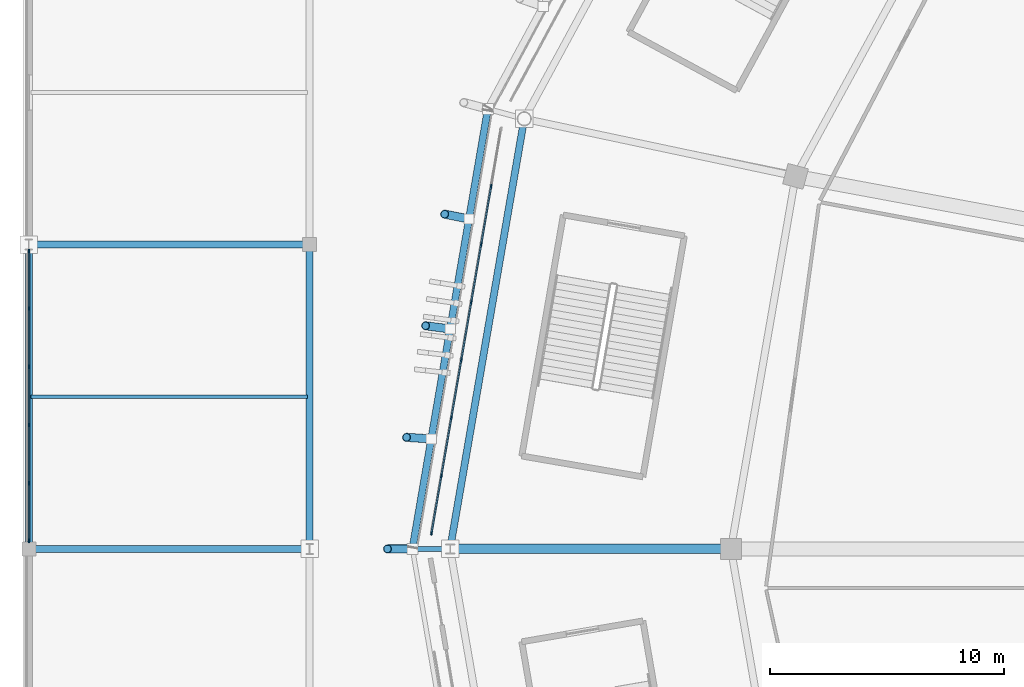
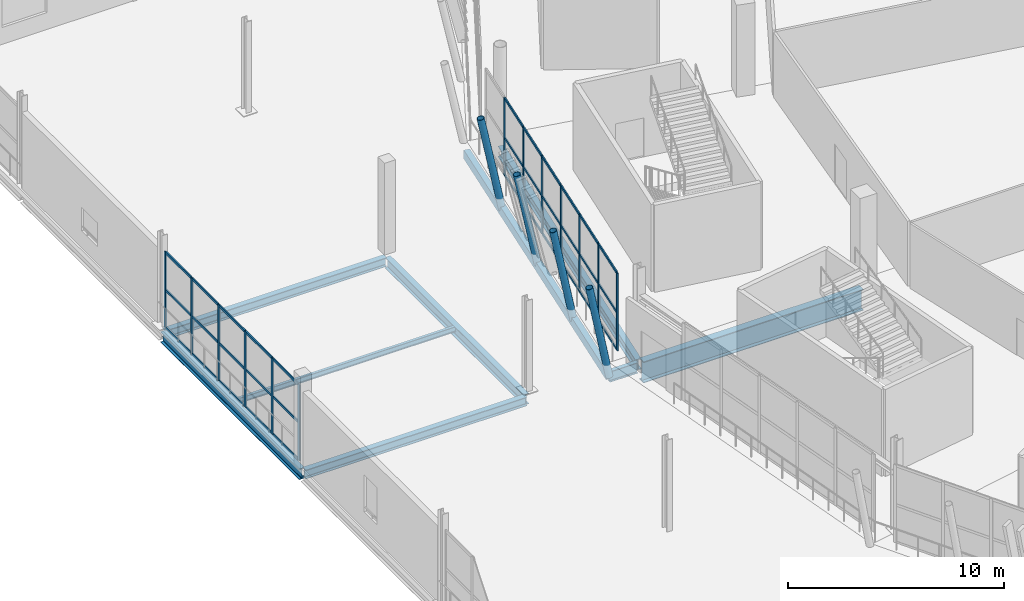
# One storey, part 41 of 178: 50 members, 9 beams, 2 elements without a shape of their own.
"""IFC4 building model written with IfcOpenShell, lengths in metres."""

from ifc_helpers import new_model, si_unit, direction, frame, origin, origin_2d, place, context, subcontext, project, spatial, rectangle, hollow_rectangle, hollow_circle, i_section, extrude, material, material_profile, profile_set, type_object, element, aggregate, save


model = new_model("IFC4")

# Units and contexts
model_context = context("Model", 3, precision=1e-05, world=origin(), true_north=direction((0.0, 1.0)))
body_context = subcontext(model_context, "Body", "Model", "MODEL_VIEW")
ifc_project = project(units=[si_unit("LENGTHUNIT", "METRE"), si_unit("AREAUNIT", "SQUARE_METRE"), si_unit("VOLUMEUNIT", "CUBIC_METRE"), si_unit("PLANEANGLEUNIT", "RADIAN"), si_unit("MASSUNIT", "GRAM", prefix="KILO")], contexts=[model_context])

# Site, building, storey
site_placement = place(None, origin())
site = spatial("IfcSite", under=ifc_project, at=site_placement, CompositionType="ELEMENT")
building_placement = place(site_placement, origin())
building = spatial("IfcBuilding", under=site, at=building_placement, Name="Zlatoyarsky Gate Stadium", CompositionType="ELEMENT")
storey_placement = place(building_placement, frame((0.0, 0.0, 5.39990234375)))
storey = spatial("IfcBuildingStorey", under=building, at=storey_placement, Name="L01", CompositionType="ELEMENT", Elevation=5.39990234375)

# Curtain wall, members
ifc_material_1 = material(Name="Thermally broken anodised aluminium curtain wall", Category="aluminium")
curtain_wall_type_1 = type_object("IfcCurtainWallType", Name="UNITISED HOSPITALITY GLAZING L01", PredefinedType="USERDEFINED", material=ifc_material_1)
curtain_wall_1_placement = place(storey_placement, origin())
curtain_wall_1 = element("IfcCurtainWall", 1, at=curtain_wall_1_placement, inside=storey, type_object=curtain_wall_type_1, Name="Curtain wall CW-L01-11", ObjectType="UNITISED GLAZING", PredefinedType="USERDEFINED")
ifc_material_2 = material(Name="Anodised aluminium 6063-T6", Category="aluminium")
ifc_material_profile_1 = material_profile(ifc_material_2, rectangle(XDim=0.06494140625, YDim=0.159912109375, at=origin_2d()), Name="ALU 65X160")
ifc_profile_set_1 = profile_set([ifc_material_profile_1], Name="Anodised aluminium 6063-T6")
member_type_1 = type_object("IfcMemberType", Name="ALUMINIUM MULLION 65X160", PredefinedType="MULLION", material=ifc_profile_set_1)
member_1_placement = place(storey_placement, frame((19.755615234375, 95.494873046875, 0.0), z_axis=(0.0, 0.0, 1.0), x_axis=(0.985538549547, -0.169451371657, 0.0)))
member_1 = element("IfcMember", 2, at=member_1_placement, type_object=member_type_1, Name="CW-UG1 mullion 2", PredefinedType="MULLION", context=body_context, shape_type="SweptSolid", body=[
    extrude(rectangle(XDim=0.06494140625, YDim=0.159912109375, at=origin_2d()), origin(), (0.0, 0.0, 1.0), 4.400146484375),
])
member_2_placement = place(storey_placement, frame((19.330078125, 93.019287109375, 0.0), z_axis=(0.0, 0.0, 1.0), x_axis=(0.985538549547, -0.169451371657, 0.0)))
member_2 = element("IfcMember", 3, at=member_2_placement, type_object=member_type_1, Name="CW-UG1 mullion 3", PredefinedType="MULLION", context=body_context, shape_type="SweptSolid", body=[
    extrude(rectangle(XDim=0.06494140625, YDim=0.159912109375, at=origin_2d()), origin(), (0.0, 0.0, 1.0), 4.400146484375),
])
member_3_placement = place(storey_placement, frame((18.904296875, 90.54345703125, 0.0), z_axis=(0.0, 0.0, 1.0), x_axis=(0.985538549547, -0.169451371657, 0.0)))
member_3 = element("IfcMember", 4, at=member_3_placement, type_object=member_type_1, Name="CW-UG1 mullion 4", PredefinedType="MULLION", context=body_context, shape_type="SweptSolid", body=[
    extrude(rectangle(XDim=0.06494140625, YDim=0.159912109375, at=origin_2d()), origin(), (0.0, 0.0, 1.0), 4.400146484375),
])
member_4_placement = place(storey_placement, frame((18.478515625, 88.06787109375, 0.0), z_axis=(0.0, 0.0, 1.0), x_axis=(0.985538549547, -0.169451371657, 0.0)))
member_4 = element("IfcMember", 5, at=member_4_placement, type_object=member_type_1, Name="CW-UG1 mullion 5", PredefinedType="MULLION", context=body_context, shape_type="SweptSolid", body=[
    extrude(rectangle(XDim=0.06494140625, YDim=0.159912109375, at=origin_2d()), origin(), (0.0, 0.0, 1.0), 4.400146484375),
])
member_5_placement = place(storey_placement, frame((18.052978515625, 85.592041015625, 0.0), z_axis=(0.0, 0.0, 1.0), x_axis=(0.985538549547, -0.169451371657, 0.0)))
member_5 = element("IfcMember", 6, at=member_5_placement, type_object=member_type_1, Name="CW-UG1 mullion 6", PredefinedType="MULLION", context=body_context, shape_type="SweptSolid", body=[
    extrude(rectangle(XDim=0.06494140625, YDim=0.159912109375, at=origin_2d()), origin(), (0.0, 0.0, 1.0), 4.400146484375),
])
member_6_placement = place(storey_placement, frame((17.627197265625, 83.1162109375, 0.0), z_axis=(0.0, 0.0, 1.0), x_axis=(0.985538549547, -0.169451371657, 0.0)))
member_6 = element("IfcMember", 7, at=member_6_placement, type_object=member_type_1, Name="CW-UG1 mullion 7", PredefinedType="MULLION", context=body_context, shape_type="SweptSolid", body=[
    extrude(rectangle(XDim=0.06494140625, YDim=0.159912109375, at=origin_2d()), origin(), (0.0, 0.0, 1.0), 4.400146484375),
])
member_7_placement = place(storey_placement, frame((17.20703125, 80.672607421875, 0.0), z_axis=(0.0, 0.0, 1.0), x_axis=(0.985538549547, -0.169451371657, 0.0)))
member_7 = element("IfcMember", 8, at=member_7_placement, type_object=member_type_1, Name="CW-UG1 mullion 8", PredefinedType="MULLION", context=body_context, shape_type="SweptSolid", body=[
    extrude(rectangle(XDim=0.06494140625, YDim=0.159912109375, at=origin_2d()), origin(), (0.0, 0.0, 1.0), 4.400146484375),
])

curtain_wall_type_2 = type_object("IfcCurtainWallType", Name="WINTER GARDEN CONSERVATORY GLAZING", PredefinedType="USERDEFINED", material=ifc_material_1)
curtain_wall_2_placement = place(storey_placement, origin())
curtain_wall_2 = element("IfcCurtainWall", 9, at=curtain_wall_2_placement, inside=storey, type_object=curtain_wall_type_2, Name="Curtain wall CW-V4_WEST-L01-166", ObjectType="UNITISED GLAZING", PredefinedType="USERDEFINED")
member_8_placement = place(storey_placement, frame((0.0, 80.344482421875, 0.0), z_axis=(0.0, 0.0, 1.0), x_axis=(-1.0, 0.0, 0.0)))
member_8 = element("IfcMember", 10, at=member_8_placement, type_object=member_type_1, Name="CW-WG1 mullion 1", PredefinedType="MULLION", context=body_context, shape_type="SweptSolid", body=[
    extrude(rectangle(XDim=0.06494140625, YDim=0.159912109375, at=origin_2d()), origin(), (0.0, 0.0, 1.0), 4.300048828125),
])
member_9_placement = place(storey_placement, frame((0.0, 82.80224609375, 0.0), z_axis=(0.0, 0.0, 1.0), x_axis=(-1.0, 0.0, 0.0)))
member_9 = element("IfcMember", 11, at=member_9_placement, type_object=member_type_1, Name="CW-WG1 mullion 2", PredefinedType="MULLION", context=body_context, shape_type="SweptSolid", body=[
    extrude(rectangle(XDim=0.06494140625, YDim=0.159912109375, at=origin_2d()), origin(), (0.0, 0.0, 1.0), 4.300048828125),
])
member_10_placement = place(storey_placement, frame((0.0, 85.29248046875, 0.0), z_axis=(0.0, 0.0, 1.0), x_axis=(-1.0, 0.0, 0.0)))
member_10 = element("IfcMember", 12, at=member_10_placement, type_object=member_type_1, Name="CW-WG1 mullion 3", PredefinedType="MULLION", context=body_context, shape_type="SweptSolid", body=[
    extrude(rectangle(XDim=0.06494140625, YDim=0.159912109375, at=origin_2d()), origin(), (0.0, 0.0, 1.0), 4.300048828125),
])
member_11_placement = place(storey_placement, frame((0.0, 87.78271484375, 0.0), z_axis=(0.0, 0.0, 1.0), x_axis=(-1.0, 0.0, 0.0)))
member_11 = element("IfcMember", 13, at=member_11_placement, type_object=member_type_1, Name="CW-WG1 mullion 4", PredefinedType="MULLION", context=body_context, shape_type="SweptSolid", body=[
    extrude(rectangle(XDim=0.06494140625, YDim=0.159912109375, at=origin_2d()), origin(), (0.0, 0.0, 1.0), 4.300048828125),
])
member_12_placement = place(storey_placement, frame((0.0, 90.272705078125, 0.0), z_axis=(0.0, 0.0, 1.0), x_axis=(-1.0, 0.0, 0.0)))
member_12 = element("IfcMember", 14, at=member_12_placement, type_object=member_type_1, Name="CW-WG1 mullion 5", PredefinedType="MULLION", context=body_context, shape_type="SweptSolid", body=[
    extrude(rectangle(XDim=0.06494140625, YDim=0.159912109375, at=origin_2d()), origin(), (0.0, 0.0, 1.0), 4.300048828125),
])
member_13_placement = place(storey_placement, frame((0.0, 92.73046875, 0.0), z_axis=(0.0, 0.0, 1.0), x_axis=(-1.0, 0.0, 0.0)))
member_13 = element("IfcMember", 15, at=member_13_placement, type_object=member_type_1, Name="CW-WG1 mullion 6", PredefinedType="MULLION", context=body_context, shape_type="SweptSolid", body=[
    extrude(rectangle(XDim=0.06494140625, YDim=0.159912109375, at=origin_2d()), origin(), (0.0, 0.0, 1.0), 4.300048828125),
])

# Member
ifc_material_profile_2 = material_profile(ifc_material_2, rectangle(XDim=0.06494140625, YDim=0.139892578125, at=origin_2d()), Name="ALU 65X140")
ifc_profile_set_2 = profile_set([ifc_material_profile_2], Name="Anodised aluminium 6063-T6")
member_type_2 = type_object("IfcMemberType", Name="ALUMINIUM TRANSOM 65X140", PredefinedType="USERDEFINED", material=ifc_profile_set_2)
member_14_placement = place(storey_placement, frame((19.75, 95.462890625, 0.03271484375), z_axis=(-0.169412414393, -0.985545246982, 0.0), x_axis=(0.985545246982, -0.169412414393, 0.0)))
member_14 = element("IfcMember", 16, at=member_14_placement, type_object=member_type_2, Name="CW-UG1 transom 2.1", ObjectType="TRANSOM", PredefinedType="USERDEFINED", context=body_context, shape_type="SweptSolid", body=[
    extrude(rectangle(XDim=0.06494140625, YDim=0.139892578125, at=origin_2d()), origin(), (0.0, 0.0, 1.0), 2.447021484375),
])

member_15_placement = place(storey_placement, frame((19.75, 95.462890625, 2.150146484375), z_axis=(-0.169412414393, -0.985545246982, 0.0), x_axis=(0.985545246982, -0.169412414393, 0.0)))
member_15 = element("IfcMember", 17, at=member_15_placement, type_object=member_type_2, Name="CW-UG1 transom 2.2", ObjectType="TRANSOM", PredefinedType="USERDEFINED", context=body_context, shape_type="SweptSolid", body=[
    extrude(rectangle(XDim=0.06494140625, YDim=0.139892578125, at=origin_2d()), origin(), (0.0, 0.0, 1.0), 2.447021484375),
])

member_16_placement = place(storey_placement, frame((19.75, 95.462890625, 4.36767578125), z_axis=(-0.169412414393, -0.985545246982, 0.0), x_axis=(0.985545246982, -0.169412414393, 0.0)))
member_16 = element("IfcMember", 18, at=member_16_placement, type_object=member_type_2, Name="CW-UG1 transom 2.3", ObjectType="TRANSOM", PredefinedType="USERDEFINED", context=body_context, shape_type="SweptSolid", body=[
    extrude(rectangle(XDim=0.06494140625, YDim=0.139892578125, at=origin_2d()), origin(), (0.0, 0.0, 1.0), 2.447021484375),
])

member_17_placement = place(storey_placement, frame((19.324462890625, 92.9873046875, 0.03271484375), z_axis=(-0.169395757758, -0.985548110065, 0.0), x_axis=(0.985548110065, -0.169395757758, 0.0)))
member_17 = element("IfcMember", 19, at=member_17_placement, type_object=member_type_2, Name="CW-UG1 transom 3.1", ObjectType="TRANSOM", PredefinedType="USERDEFINED", context=body_context, shape_type="SweptSolid", body=[
    extrude(rectangle(XDim=0.06494140625, YDim=0.139892578125, at=origin_2d()), origin(), (0.0, 0.0, 1.0), 2.447265625),
])

member_18_placement = place(storey_placement, frame((19.324462890625, 92.9873046875, 2.150146484375), z_axis=(-0.169395757758, -0.985548110065, 0.0), x_axis=(0.985548110065, -0.169395757758, 0.0)))
member_18 = element("IfcMember", 20, at=member_18_placement, type_object=member_type_2, Name="CW-UG1 transom 3.2", ObjectType="TRANSOM", PredefinedType="USERDEFINED", context=body_context, shape_type="SweptSolid", body=[
    extrude(rectangle(XDim=0.06494140625, YDim=0.139892578125, at=origin_2d()), origin(), (0.0, 0.0, 1.0), 2.447265625),
])

member_19_placement = place(storey_placement, frame((19.324462890625, 92.9873046875, 4.36767578125), z_axis=(-0.169395757758, -0.985548110065, 0.0), x_axis=(0.985548110065, -0.169395757758, 0.0)))
member_19 = element("IfcMember", 21, at=member_19_placement, type_object=member_type_2, Name="CW-UG1 transom 3.3", ObjectType="TRANSOM", PredefinedType="USERDEFINED", context=body_context, shape_type="SweptSolid", body=[
    extrude(rectangle(XDim=0.06494140625, YDim=0.139892578125, at=origin_2d()), origin(), (0.0, 0.0, 1.0), 2.447265625),
])

member_20_placement = place(storey_placement, frame((18.898681640625, 90.511474609375, 0.03271484375), z_axis=(-0.169412414393, -0.985545246982, 0.0), x_axis=(0.985545246982, -0.169412414393, 0.0)))
member_20 = element("IfcMember", 22, at=member_20_placement, type_object=member_type_2, Name="CW-UG1 transom 4.1", ObjectType="TRANSOM", PredefinedType="USERDEFINED", context=body_context, shape_type="SweptSolid", body=[
    extrude(rectangle(XDim=0.06494140625, YDim=0.139892578125, at=origin_2d()), origin(), (0.0, 0.0, 1.0), 2.447021484375),
])

member_21_placement = place(storey_placement, frame((18.898681640625, 90.511474609375, 2.150146484375), z_axis=(-0.169412414393, -0.985545246982, 0.0), x_axis=(0.985545246982, -0.169412414393, 0.0)))
member_21 = element("IfcMember", 23, at=member_21_placement, type_object=member_type_2, Name="CW-UG1 transom 4.2", ObjectType="TRANSOM", PredefinedType="USERDEFINED", context=body_context, shape_type="SweptSolid", body=[
    extrude(rectangle(XDim=0.06494140625, YDim=0.139892578125, at=origin_2d()), origin(), (0.0, 0.0, 1.0), 2.447021484375),
])

member_22_placement = place(storey_placement, frame((18.898681640625, 90.511474609375, 4.36767578125), z_axis=(-0.169412414393, -0.985545246982, 0.0), x_axis=(0.985545246982, -0.169412414393, 0.0)))
member_22 = element("IfcMember", 24, at=member_22_placement, type_object=member_type_2, Name="CW-UG1 transom 4.3", ObjectType="TRANSOM", PredefinedType="USERDEFINED", context=body_context, shape_type="SweptSolid", body=[
    extrude(rectangle(XDim=0.06494140625, YDim=0.139892578125, at=origin_2d()), origin(), (0.0, 0.0, 1.0), 2.447021484375),
])

member_23_placement = place(storey_placement, frame((18.47314453125, 88.03564453125, 0.03271484375), z_axis=(-0.16950932017, -0.985528584251, 0.0), x_axis=(0.985528584251, -0.16950932017, 0.0)))
member_23 = element("IfcMember", 25, at=member_23_placement, type_object=member_type_2, Name="CW-UG1 transom 5.1", ObjectType="TRANSOM", PredefinedType="USERDEFINED", context=body_context, shape_type="SweptSolid", body=[
    extrude(rectangle(XDim=0.06494140625, YDim=0.139892578125, at=origin_2d()), origin(), (0.0, 0.0, 1.0), 2.447021484375),
])

member_24_placement = place(storey_placement, frame((18.47314453125, 88.03564453125, 2.150146484375), z_axis=(-0.16950932017, -0.985528584251, 0.0), x_axis=(0.985528584251, -0.16950932017, 0.0)))
member_24 = element("IfcMember", 26, at=member_24_placement, type_object=member_type_2, Name="CW-UG1 transom 5.2", ObjectType="TRANSOM", PredefinedType="USERDEFINED", context=body_context, shape_type="SweptSolid", body=[
    extrude(rectangle(XDim=0.06494140625, YDim=0.139892578125, at=origin_2d()), origin(), (0.0, 0.0, 1.0), 2.447021484375),
])

member_25_placement = place(storey_placement, frame((18.47314453125, 88.03564453125, 4.36767578125), z_axis=(-0.16950932017, -0.985528584251, 0.0), x_axis=(0.985528584251, -0.16950932017, 0.0)))
member_25 = element("IfcMember", 27, at=member_25_placement, type_object=member_type_2, Name="CW-UG1 transom 5.3", ObjectType="TRANSOM", PredefinedType="USERDEFINED", context=body_context, shape_type="SweptSolid", body=[
    extrude(rectangle(XDim=0.06494140625, YDim=0.139892578125, at=origin_2d()), origin(), (0.0, 0.0, 1.0), 2.447021484375),
])

member_26_placement = place(storey_placement, frame((18.04736328125, 85.56005859375, 0.03271484375), z_axis=(-0.169412414393, -0.985545246982, 0.0), x_axis=(0.985545246982, -0.169412414393, 0.0)))
member_26 = element("IfcMember", 28, at=member_26_placement, type_object=member_type_2, Name="CW-UG1 transom 6.1", ObjectType="TRANSOM", PredefinedType="USERDEFINED", context=body_context, shape_type="SweptSolid", body=[
    extrude(rectangle(XDim=0.06494140625, YDim=0.139892578125, at=origin_2d()), origin(), (0.0, 0.0, 1.0), 2.447021484375),
])

member_27_placement = place(storey_placement, frame((18.04736328125, 85.56005859375, 2.150146484375), z_axis=(-0.169412414393, -0.985545246982, 0.0), x_axis=(0.985545246982, -0.169412414393, 0.0)))
member_27 = element("IfcMember", 29, at=member_27_placement, type_object=member_type_2, Name="CW-UG1 transom 6.2", ObjectType="TRANSOM", PredefinedType="USERDEFINED", context=body_context, shape_type="SweptSolid", body=[
    extrude(rectangle(XDim=0.06494140625, YDim=0.139892578125, at=origin_2d()), origin(), (0.0, 0.0, 1.0), 2.447021484375),
])

member_28_placement = place(storey_placement, frame((18.04736328125, 85.56005859375, 4.36767578125), z_axis=(-0.169412414393, -0.985545246982, 0.0), x_axis=(0.985545246982, -0.169412414393, 0.0)))
member_28 = element("IfcMember", 30, at=member_28_placement, type_object=member_type_2, Name="CW-UG1 transom 6.3", ObjectType="TRANSOM", PredefinedType="USERDEFINED", context=body_context, shape_type="SweptSolid", body=[
    extrude(rectangle(XDim=0.06494140625, YDim=0.139892578125, at=origin_2d()), origin(), (0.0, 0.0, 1.0), 2.447021484375),
])

member_29_placement = place(storey_placement, frame((17.621826171875, 83.084228515625, 0.03271484375), z_axis=(-0.16946333851, -0.985536491918, 0.0), x_axis=(0.985536491918, -0.16946333851, 0.0)))
member_29 = element("IfcMember", 31, at=member_29_placement, type_object=member_type_2, Name="CW-UG1 transom 7.1", ObjectType="TRANSOM", PredefinedType="USERDEFINED", context=body_context, shape_type="SweptSolid", body=[
    extrude(rectangle(XDim=0.06494140625, YDim=0.139892578125, at=origin_2d()), origin(), (0.0, 0.0, 1.0), 2.41455078125),
])

member_30_placement = place(storey_placement, frame((17.621826171875, 83.084228515625, 2.150146484375), z_axis=(-0.16946333851, -0.985536491918, 0.0), x_axis=(0.985536491918, -0.16946333851, 0.0)))
member_30 = element("IfcMember", 32, at=member_30_placement, type_object=member_type_2, Name="CW-UG1 transom 7.2", ObjectType="TRANSOM", PredefinedType="USERDEFINED", context=body_context, shape_type="SweptSolid", body=[
    extrude(rectangle(XDim=0.06494140625, YDim=0.139892578125, at=origin_2d()), origin(), (0.0, 0.0, 1.0), 2.41455078125),
])

member_31_placement = place(storey_placement, frame((17.621826171875, 83.084228515625, 4.36767578125), z_axis=(-0.16946333851, -0.985536491918, 0.0), x_axis=(0.985536491918, -0.16946333851, 0.0)))
member_31 = element("IfcMember", 33, at=member_31_placement, type_object=member_type_2, Name="CW-UG1 transom 7.3", ObjectType="TRANSOM", PredefinedType="USERDEFINED", context=body_context, shape_type="SweptSolid", body=[
    extrude(rectangle(XDim=0.06494140625, YDim=0.139892578125, at=origin_2d()), origin(), (0.0, 0.0, 1.0), 2.41455078125),
])

aggregate(curtain_wall_1, [member_1, member_2, member_3, member_4, member_5, member_6, member_7, member_14, member_15, member_16, member_17, member_18, member_19, member_20, member_21, member_22, member_23, member_24, member_25, member_26, member_27, member_28, member_29, member_30, member_31])

member_32_placement = place(storey_placement, frame((0.0, 80.376953125, 0.03271484375), z_axis=(0.0, 1.0, 0.0), x_axis=(-1.0, 0.0, 0.0)))
member_32 = element("IfcMember", 34, at=member_32_placement, type_object=member_type_2, Name="CW-WG1 transom 1.1", ObjectType="TRANSOM", PredefinedType="USERDEFINED", context=body_context, shape_type="SweptSolid", body=[
    extrude(rectangle(XDim=0.06494140625, YDim=0.139892578125, at=origin_2d()), origin(), (0.0, 0.0, 1.0), 2.392822265625),
])

member_33_placement = place(storey_placement, frame((0.0, 80.376953125, 2.150146484375), z_axis=(0.0, 1.0, 0.0), x_axis=(-1.0, 0.0, 0.0)))
member_33 = element("IfcMember", 35, at=member_33_placement, type_object=member_type_2, Name="CW-WG1 transom 1.2", ObjectType="TRANSOM", PredefinedType="USERDEFINED", context=body_context, shape_type="SweptSolid", body=[
    extrude(rectangle(XDim=0.06494140625, YDim=0.139892578125, at=origin_2d()), origin(), (0.0, 0.0, 1.0), 2.392822265625),
])

member_34_placement = place(storey_placement, frame((0.0, 80.376953125, 4.267578125), z_axis=(0.0, 1.0, 0.0), x_axis=(-1.0, 0.0, 0.0)))
member_34 = element("IfcMember", 36, at=member_34_placement, type_object=member_type_2, Name="CW-WG1 transom 1.3", ObjectType="TRANSOM", PredefinedType="USERDEFINED", context=body_context, shape_type="SweptSolid", body=[
    extrude(rectangle(XDim=0.06494140625, YDim=0.139892578125, at=origin_2d()), origin(), (0.0, 0.0, 1.0), 2.392822265625),
])

member_35_placement = place(storey_placement, frame((0.0, 82.834716796875, 0.03271484375), z_axis=(0.0, 1.0, 0.0), x_axis=(-1.0, 0.0, 0.0)))
member_35 = element("IfcMember", 37, at=member_35_placement, type_object=member_type_2, Name="CW-WG1 transom 2.1", ObjectType="TRANSOM", PredefinedType="USERDEFINED", context=body_context, shape_type="SweptSolid", body=[
    extrude(rectangle(XDim=0.06494140625, YDim=0.139892578125, at=origin_2d()), origin(), (0.0, 0.0, 1.0), 2.42529296875),
])

member_36_placement = place(storey_placement, frame((0.0, 82.834716796875, 2.150146484375), z_axis=(0.0, 1.0, 0.0), x_axis=(-1.0, 0.0, 0.0)))
member_36 = element("IfcMember", 38, at=member_36_placement, type_object=member_type_2, Name="CW-WG1 transom 2.2", ObjectType="TRANSOM", PredefinedType="USERDEFINED", context=body_context, shape_type="SweptSolid", body=[
    extrude(rectangle(XDim=0.06494140625, YDim=0.139892578125, at=origin_2d()), origin(), (0.0, 0.0, 1.0), 2.42529296875),
])

member_37_placement = place(storey_placement, frame((0.0, 82.834716796875, 4.267578125), z_axis=(0.0, 1.0, 0.0), x_axis=(-1.0, 0.0, 0.0)))
member_37 = element("IfcMember", 39, at=member_37_placement, type_object=member_type_2, Name="CW-WG1 transom 2.3", ObjectType="TRANSOM", PredefinedType="USERDEFINED", context=body_context, shape_type="SweptSolid", body=[
    extrude(rectangle(XDim=0.06494140625, YDim=0.139892578125, at=origin_2d()), origin(), (0.0, 0.0, 1.0), 2.42529296875),
])

member_38_placement = place(storey_placement, frame((0.0, 85.324951171875, 0.03271484375), z_axis=(0.0, 1.0, 0.0), x_axis=(-1.0, 0.0, 0.0)))
member_38 = element("IfcMember", 40, at=member_38_placement, type_object=member_type_2, Name="CW-WG1 transom 3.1", ObjectType="TRANSOM", PredefinedType="USERDEFINED", context=body_context, shape_type="SweptSolid", body=[
    extrude(rectangle(XDim=0.06494140625, YDim=0.139892578125, at=origin_2d()), origin(), (0.0, 0.0, 1.0), 2.425048828125),
])

member_39_placement = place(storey_placement, frame((0.0, 85.324951171875, 2.150146484375), z_axis=(0.0, 1.0, 0.0), x_axis=(-1.0, 0.0, 0.0)))
member_39 = element("IfcMember", 41, at=member_39_placement, type_object=member_type_2, Name="CW-WG1 transom 3.2", ObjectType="TRANSOM", PredefinedType="USERDEFINED", context=body_context, shape_type="SweptSolid", body=[
    extrude(rectangle(XDim=0.06494140625, YDim=0.139892578125, at=origin_2d()), origin(), (0.0, 0.0, 1.0), 2.425048828125),
])

member_40_placement = place(storey_placement, frame((0.0, 85.324951171875, 4.267578125), z_axis=(0.0, 1.0, 0.0), x_axis=(-1.0, 0.0, 0.0)))
member_40 = element("IfcMember", 42, at=member_40_placement, type_object=member_type_2, Name="CW-WG1 transom 3.3", ObjectType="TRANSOM", PredefinedType="USERDEFINED", context=body_context, shape_type="SweptSolid", body=[
    extrude(rectangle(XDim=0.06494140625, YDim=0.139892578125, at=origin_2d()), origin(), (0.0, 0.0, 1.0), 2.425048828125),
])

member_41_placement = place(storey_placement, frame((0.0, 87.815185546875, 0.03271484375), z_axis=(0.0, 1.0, 0.0), x_axis=(-1.0, 0.0, 0.0)))
member_41 = element("IfcMember", 43, at=member_41_placement, type_object=member_type_2, Name="CW-WG1 transom 4.1", ObjectType="TRANSOM", PredefinedType="USERDEFINED", context=body_context, shape_type="SweptSolid", body=[
    extrude(rectangle(XDim=0.06494140625, YDim=0.139892578125, at=origin_2d()), origin(), (0.0, 0.0, 1.0), 2.425048828125),
])

member_42_placement = place(storey_placement, frame((0.0, 87.815185546875, 2.150146484375), z_axis=(0.0, 1.0, 0.0), x_axis=(-1.0, 0.0, 0.0)))
member_42 = element("IfcMember", 44, at=member_42_placement, type_object=member_type_2, Name="CW-WG1 transom 4.2", ObjectType="TRANSOM", PredefinedType="USERDEFINED", context=body_context, shape_type="SweptSolid", body=[
    extrude(rectangle(XDim=0.06494140625, YDim=0.139892578125, at=origin_2d()), origin(), (0.0, 0.0, 1.0), 2.425048828125),
])

member_43_placement = place(storey_placement, frame((0.0, 87.815185546875, 4.267578125), z_axis=(0.0, 1.0, 0.0), x_axis=(-1.0, 0.0, 0.0)))
member_43 = element("IfcMember", 45, at=member_43_placement, type_object=member_type_2, Name="CW-WG1 transom 4.3", ObjectType="TRANSOM", PredefinedType="USERDEFINED", context=body_context, shape_type="SweptSolid", body=[
    extrude(rectangle(XDim=0.06494140625, YDim=0.139892578125, at=origin_2d()), origin(), (0.0, 0.0, 1.0), 2.425048828125),
])

member_44_placement = place(storey_placement, frame((0.0, 90.305419921875, 0.03271484375), z_axis=(0.0, 1.0, 0.0), x_axis=(-1.0, 0.0, 0.0)))
member_44 = element("IfcMember", 46, at=member_44_placement, type_object=member_type_2, Name="CW-WG1 transom 5.1", ObjectType="TRANSOM", PredefinedType="USERDEFINED", context=body_context, shape_type="SweptSolid", body=[
    extrude(rectangle(XDim=0.06494140625, YDim=0.139892578125, at=origin_2d()), origin(), (0.0, 0.0, 1.0), 2.392578125),
])

member_45_placement = place(storey_placement, frame((0.0, 90.305419921875, 2.150146484375), z_axis=(0.0, 1.0, 0.0), x_axis=(-1.0, 0.0, 0.0)))
member_45 = element("IfcMember", 47, at=member_45_placement, type_object=member_type_2, Name="CW-WG1 transom 5.2", ObjectType="TRANSOM", PredefinedType="USERDEFINED", context=body_context, shape_type="SweptSolid", body=[
    extrude(rectangle(XDim=0.06494140625, YDim=0.139892578125, at=origin_2d()), origin(), (0.0, 0.0, 1.0), 2.392578125),
])

member_46_placement = place(storey_placement, frame((0.0, 90.305419921875, 4.267578125), z_axis=(0.0, 1.0, 0.0), x_axis=(-1.0, 0.0, 0.0)))
member_46 = element("IfcMember", 48, at=member_46_placement, type_object=member_type_2, Name="CW-WG1 transom 5.3", ObjectType="TRANSOM", PredefinedType="USERDEFINED", context=body_context, shape_type="SweptSolid", body=[
    extrude(rectangle(XDim=0.06494140625, YDim=0.139892578125, at=origin_2d()), origin(), (0.0, 0.0, 1.0), 2.392578125),
])

aggregate(curtain_wall_2, [member_8, member_9, member_10, member_11, member_12, member_13, member_32, member_33, member_34, member_35, member_36, member_37, member_38, member_39, member_40, member_41, member_42, member_43, member_44, member_45, member_46])

# Beam
ifc_material_3 = material(Name="Steel S355", Category="steel")
ifc_material_profile_3 = material_profile(ifc_material_3, i_section(OverallWidth=0.219970703125, OverallDepth=0.60009765625, WebThickness=0.011962890625, FlangeThickness=0.01904296875, FilletRadius=0.02392578125, at=origin_2d()), Name="IPE 600")
ifc_profile_set_3 = profile_set([ifc_material_profile_3], Name="Steel S355")
beam_type_1 = type_object("IfcBeamType", Name="STEEL CANTILEVER FLOOR BEAM IPE 600", PredefinedType="BEAM", material=ifc_profile_set_3)
beam_1_placement = place(storey_placement, frame((17.8798828125, 80.0, -0.760009765625), z_axis=(-1.0, 0.0, 0.0), x_axis=(0.0, -1.0, 0.0)))
element("IfcBeam", 49, at=beam_1_placement, inside=storey, type_object=beam_type_1, Name="Beam B-IPE600 BM-L01-OUT-12", PredefinedType="BEAM", context=body_context, shape_type="SweptSolid", body=[
    extrude(i_section(OverallWidth=0.219970703125, OverallDepth=0.60009765625, WebThickness=0.011962890625, FlangeThickness=0.01904296875, FilletRadius=0.02392578125, at=origin_2d()), origin(), (0.0, 0.0, 1.0), 1.48828125),
])

# Members
ifc_material_profile_4 = material_profile(ifc_material_3, hollow_circle(Radius=0.177734375, WallThickness=0.02001953125, at=origin_2d()), Name="CHS 355.6X20")
ifc_profile_set_4 = profile_set([ifc_material_profile_4], Name="Steel S355")
member_type_3 = type_object("IfcMemberType", Name="STEEL LEANING RIB RING STRUT CHS 355.6X20", PredefinedType="STRUT", material=ifc_profile_set_4)
member_47_placement = place(storey_placement, frame((16.3916015625, 80.0, -0.760009765625), z_axis=(-0.19460082495, 0.0, 0.980882520452), x_axis=(0.0, -1.0, 0.0)))
element("IfcMember", 50, at=member_47_placement, inside=storey, type_object=member_type_3, Name="Leaning ring strut 12 L01 to L02", PredefinedType="STRUT", context=body_context, shape_type="SweptSolid", body=[
    extrude(hollow_circle(Radius=0.177734375, WallThickness=0.02001953125, at=origin_2d()), origin(), (0.0, 0.0, 1.0), 5.485107421875),
])
member_48_placement = place(storey_placement, frame((18.809326171875, 94.094482421875, -0.7099609375), z_axis=(-0.189662165152, 0.03775434649, 0.981123270762), x_axis=(-0.195230575427, -0.98075737184, 0.0)))
element("IfcMember", 51, at=member_48_placement, inside=storey, type_object=member_type_3, Name="Outward-leaning bowl louvre fin rib L01 11-1", PredefinedType="STRUT", context=body_context, shape_type="SweptSolid", body=[
    extrude(hollow_circle(Radius=0.177734375, WallThickness=0.02001953125, at=origin_2d()), origin(), (0.0, 0.0, 1.0), 5.483642578125),
])
member_49_placement = place(storey_placement, frame((18.00341796875, 89.396240234375, -0.7099609375), z_axis=(-0.191367936327, 0.025201082355, 0.981194791259), x_axis=(-0.130561919254, -0.991440157166, 0.0)))
element("IfcMember", 52, at=member_49_placement, inside=storey, type_object=member_type_3, Name="Outward-leaning bowl louvre fin rib L01 11-2", PredefinedType="STRUT", context=body_context, shape_type="SweptSolid", body=[
    extrude(hollow_circle(Radius=0.177734375, WallThickness=0.02001953125, at=origin_2d()), origin(), (0.0, 0.0, 1.0), 5.483154296875),
])
member_50_placement = place(storey_placement, frame((17.197509765625, 84.697998046875, -0.7099609375), z_axis=(-0.193000214699, 0.012599552655, 0.981117815759), x_axis=(-0.065143915527, -0.99787587919, 0.0)))
element("IfcMember", 53, at=member_50_placement, inside=storey, type_object=member_type_3, Name="Outward-leaning bowl louvre fin rib L01 11-3", PredefinedType="STRUT", context=body_context, shape_type="SweptSolid", body=[
    extrude(hollow_circle(Radius=0.177734375, WallThickness=0.02001953125, at=origin_2d()), origin(), (0.0, 0.0, 1.0), 5.483642578125),
])

# Beams
ifc_material_profile_5 = material_profile(ifc_material_3, hollow_rectangle(XDim=0.300048828125, YDim=0.5, WallThickness=0.02001953125, at=origin_2d()), Name="RHS 500X300X20")
ifc_profile_set_5 = profile_set([ifc_material_profile_5], Name="Steel S355")
beam_type_2 = type_object("IfcBeamType", Name="STEEL LOUVRE CARRIER SPANDREL RHS 500X300X20", PredefinedType="SPANDREL", material=ifc_profile_set_5)
beam_2_placement = place(storey_placement, frame((19.61181640625, 98.772705078125, -0.7099609375), z_axis=(-0.169066383905, -0.985604666098, 0.0), x_axis=(0.985604666098, -0.169066383905, 0.0)))
element("IfcBeam", 54, at=beam_2_placement, inside=storey, type_object=beam_type_2, Name="Beam SP-RHS500 BM-L01-SPD-11", PredefinedType="SPANDREL", context=body_context, shape_type="SweptSolid", body=[
    extrude(hollow_rectangle(XDim=0.300048828125, YDim=0.5, WallThickness=0.02001953125, at=origin_2d()), origin(), (0.0, 0.0, 1.0), 19.02685546875),
])
ifc_material_profile_6 = material_profile(ifc_material_3, i_section(OverallWidth=0.39990234375, OverallDepth=1.199951171875, WebThickness=0.02001953125, FlangeThickness=0.035888671875, at=origin_2d()), Name="PG 1200X400")
ifc_profile_set_6 = profile_set([ifc_material_profile_6], Name="Steel S355")
beam_type_3 = type_object("IfcBeamType", Name="STEEL PORTAL TRANSFER GIRDER PG 1200X400", PredefinedType="BEAM", material=ifc_profile_set_6)
beam_3_placement = place(storey_placement, frame((29.8798828125, 80.0, -1.059814453125), z_axis=(-1.0, 0.0, 0.0), x_axis=(0.0, -1.0, 0.0)))
element("IfcBeam", 55, at=beam_3_placement, inside=storey, type_object=beam_type_3, Name="Beam G-PG1200 BM-L01-RBC-12", PredefinedType="BEAM", context=body_context, shape_type="SweptSolid", body=[
    extrude(i_section(OverallWidth=0.39990234375, OverallDepth=1.199951171875, WebThickness=0.02001953125, FlangeThickness=0.035888671875, at=origin_2d()), origin(), (0.0, 0.0, 1.0), 11.759765625),
])
ifc_material_profile_7 = material_profile(ifc_material_3, i_section(OverallWidth=0.300048828125, OverallDepth=0.5, WebThickness=0.014404296875, FlangeThickness=0.028076171875, FilletRadius=0.027099609375, at=origin_2d()), Name="HEB 500")
ifc_profile_set_7 = profile_set([ifc_material_profile_7], Name="Steel S355")
beam_type_4 = type_object("IfcBeamType", Name="STEEL PRIMARY GIRDER HEB 500", PredefinedType="BEAM", material=ifc_profile_set_7)
for number, where, z_axis, x_axis, name in (
    (56, (0.080078125, 80.0, -0.5498046875), (1.0, 0.0, 0.0), (0.0, 1.0, 0.0), "Beam G-HEB500 BM-L01-WGX-1-H"),
    (57, (0.080078125, 93.0, -0.5498046875), (1.0, 0.0, 0.0), (0.0, 1.0, 0.0), "Beam G-HEB500 BM-L01-WGX-1-J"),
):
    element("IfcBeam", number, at=place(storey_placement, frame(where, z_axis=z_axis, x_axis=x_axis)), inside=storey, type_object=beam_type_4, Name=name, PredefinedType="BEAM", context=body_context, shape_type="SweptSolid", body=[
        extrude(i_section(OverallWidth=0.300048828125, OverallDepth=0.5, WebThickness=0.014404296875, FlangeThickness=0.028076171875, FilletRadius=0.027099609375, at=origin_2d()), origin(), (0.0, 0.0, 1.0), 11.83984375),
    ])
ifc_material_profile_8 = material_profile(ifc_material_3, i_section(OverallWidth=0.300048828125, OverallDepth=0.60009765625, WebThickness=0.015380859375, FlangeThickness=0.030029296875, FilletRadius=0.027099609375, at=origin_2d()), Name="HEB 600")
ifc_profile_set_8 = profile_set([ifc_material_profile_8], Name="Steel S355")
beam_type_5 = type_object("IfcBeamType", Name="STEEL PRIMARY GIRDER HEB 600", PredefinedType="BEAM", material=ifc_profile_set_8)
beam_4_placement = place(storey_placement, frame((21.1484375, 98.2578125, -0.760009765625), z_axis=(-0.169930456666, -0.985456056807, 0.0), x_axis=(0.985456056807, -0.169930456666, 0.0)))
element("IfcBeam", 58, at=beam_4_placement, inside=storey, type_object=beam_type_5, Name="Beam G-HEB600 BM-L01-CRC-11", PredefinedType="BEAM", context=body_context, shape_type="SweptSolid", body=[
    extrude(i_section(OverallWidth=0.300048828125, OverallDepth=0.60009765625, WebThickness=0.015380859375, FlangeThickness=0.030029296875, FilletRadius=0.027099609375, at=origin_2d()), origin(), (0.0, 0.0, 1.0), 18.4072265625),
])
for number, where, z_axis, x_axis, name in (
    (59, (0.0, 80.080078125, -0.599853515625), (0.0, 1.0, 0.0), (-1.0, 0.0, 0.0), "Beam G-HEB600 BM-L01-WGY-1-H"),
    (60, (12.0, 80.080078125, -0.599853515625), (0.0, 1.0, 0.0), (-1.0, 0.0, 0.0), "Beam G-HEB600 BM-L01-WGY-2-H"),
):
    element("IfcBeam", number, at=place(storey_placement, frame(where, z_axis=z_axis, x_axis=x_axis)), inside=storey, type_object=beam_type_5, Name=name, PredefinedType="BEAM", context=body_context, shape_type="SweptSolid", body=[
        extrude(i_section(OverallWidth=0.300048828125, OverallDepth=0.60009765625, WebThickness=0.015380859375, FlangeThickness=0.030029296875, FilletRadius=0.027099609375, at=origin_2d()), origin(), (0.0, 0.0, 1.0), 12.83984375),
    ])
ifc_material_profile_9 = material_profile(ifc_material_3, i_section(OverallWidth=0.14990234375, OverallDepth=0.300048828125, WebThickness=0.007080078125, FlangeThickness=0.0107421875, FilletRadius=0.014892578125, at=origin_2d()), Name="IPE 300")
ifc_profile_set_9 = profile_set([ifc_material_profile_9], Name="Steel S355")
beam_type_6 = type_object("IfcBeamType", Name="STEEL SECONDARY JOIST IPE 300", PredefinedType="JOIST", material=ifc_profile_set_9)
beam_5_placement = place(storey_placement, frame((0.090087890625, 86.5, -0.449951171875), z_axis=(1.0, 0.0, 0.0), x_axis=(0.0, 1.0, 0.0)))
element("IfcBeam", 61, at=beam_5_placement, inside=storey, type_object=beam_type_6, Name="Beam J-IPE300 JST-L01-1-H", PredefinedType="JOIST", context=body_context, shape_type="SweptSolid", body=[
    extrude(i_section(OverallWidth=0.14990234375, OverallDepth=0.300048828125, WebThickness=0.007080078125, FlangeThickness=0.0107421875, FilletRadius=0.014892578125, at=origin_2d()), origin(), (0.0, 0.0, 1.0), 11.81982421875),
])

save(model, "model.ifc")
